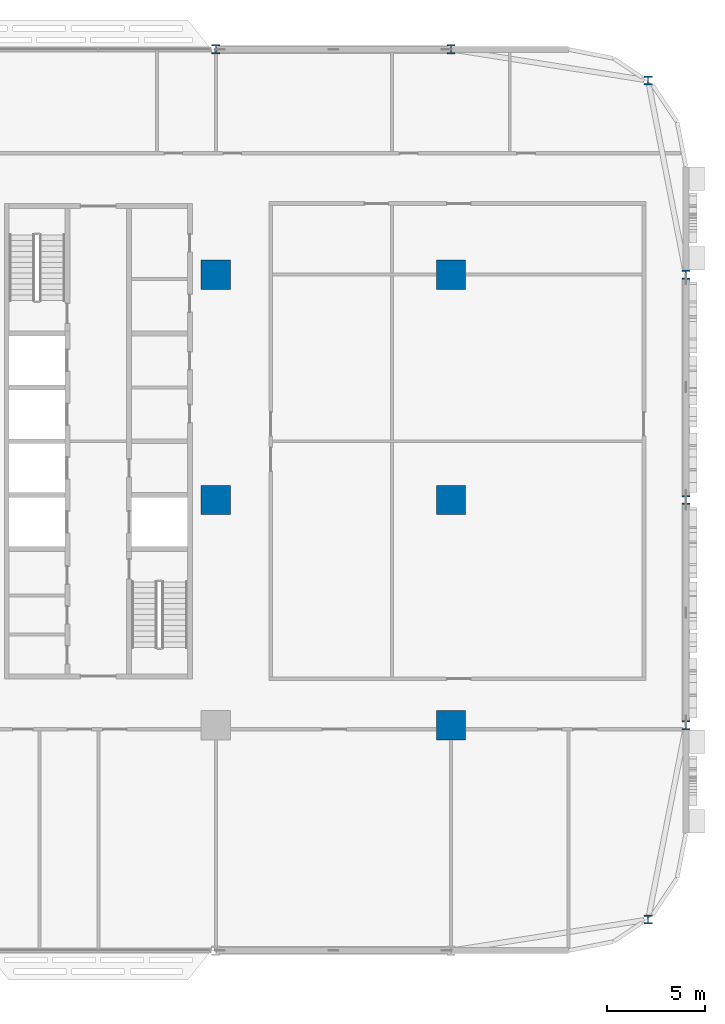
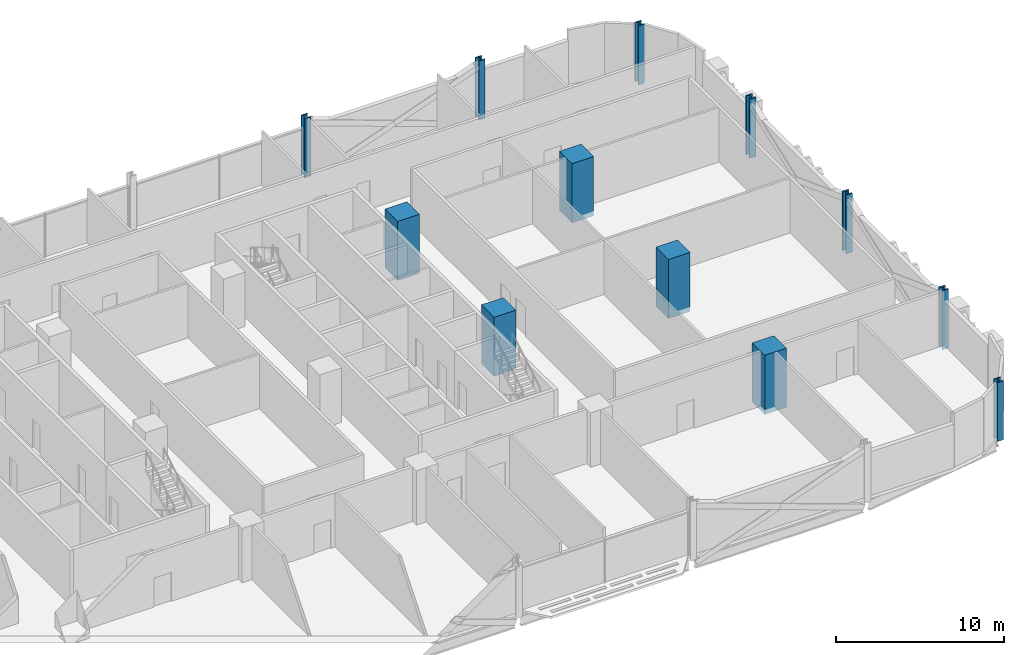
# One storey, part 2 of 29: 12 columns.
"""IFC4 building model written with IfcOpenShell, lengths in metres."""

from ifc_helpers import new_model, si_unit, direction, frame, origin, origin_2d, place, context, subcontext, project, spatial, rectangle, i_section, extrude, material, material_profile, profile_set, type_object, element, save


model = new_model("IFC4")

# Units and contexts
model_context = context("Model", 3, precision=1e-05, world=origin(), true_north=direction((0.0, 1.0)))
body_context = subcontext(model_context, "Body", "Model", "MODEL_VIEW")
ifc_project = project(units=[si_unit("LENGTHUNIT", "METRE"), si_unit("AREAUNIT", "SQUARE_METRE"), si_unit("VOLUMEUNIT", "CUBIC_METRE"), si_unit("PLANEANGLEUNIT", "RADIAN"), si_unit("MASSUNIT", "GRAM", prefix="KILO")], contexts=[model_context])

# Site, building, storey
site_placement = place(None, origin())
site = spatial("IfcSite", under=ifc_project, at=site_placement, CompositionType="ELEMENT")
building_placement = place(site_placement, origin())
building = spatial("IfcBuilding", under=site, at=building_placement, Name="Mahtab Terrace Research Tower", CompositionType="ELEMENT")
storey_placement = place(building_placement, frame((0.0, 0.0, 54.60009765625)))
storey = spatial("IfcBuildingStorey", under=building, at=storey_placement, Name="L12", CompositionType="ELEMENT", Elevation=54.60009765625)

# Columns
ifc_material_1 = material(Name="Concrete C70/85", Category="concrete")
ifc_material_profile_1 = material_profile(ifc_material_1, rectangle(XDim=1.5, YDim=1.5, at=origin_2d()), Name="RC column 1500x1500")
ifc_profile_set_1 = profile_set([ifc_material_profile_1], Name="Concrete C70/85")
column_type_1 = type_object("IfcColumnType", Name="RC column 1500x1500", PredefinedType="COLUMN", material=ifc_profile_set_1)
for number, where, z_axis, x_axis, name in (
    (1, (30.0, 0.0, -0.340087890625), (0.0, 0.0, 1.0), (1.0, 0.0, 0.0), "Column RC-7B L12"),
    (2, (30.0, 11.5, -0.340087890625), (0.0, 0.0, 1.0), (1.0, 0.0, 0.0), "Column RC-7C L12"),
    (3, (42.0, -11.5, -0.340087890625), (0.0, 0.0, 1.0), (1.0, 0.0, 0.0), "Column RC-8A L12"),
    (4, (42.0, 0.0, -0.340087890625), (0.0, 0.0, 1.0), (1.0, 0.0, 0.0), "Column RC-8B L12"),
    (5, (42.0, 11.5, -0.340087890625), (0.0, 0.0, 1.0), (1.0, 0.0, 0.0), "Column RC-8C L12"),
):
    element("IfcColumn", number, at=place(storey_placement, frame(where, z_axis=z_axis, x_axis=x_axis)), inside=storey, type_object=column_type_1, Name=name, PredefinedType="COLUMN", context=body_context, shape_type="SweptSolid", body=[
        extrude(rectangle(XDim=1.5, YDim=1.5, at=origin_2d()), origin(), (0.0, 0.0, 1.0), 4.300048828125),
    ])
ifc_material_2 = material(Name="Steel ASTM A992 Gr 50", Category="steel")
ifc_material_profile_2 = material_profile(ifc_material_2, i_section(OverallWidth=0.42431640625, OverallDepth=0.47509765625, WebThickness=0.0478515625, FlangeThickness=0.0771484375, at=origin_2d()), Name="W14X426")
ifc_profile_set_2 = profile_set([ifc_material_profile_2], Name="Steel ASTM A992 Gr 50")
column_type_2 = type_object("IfcColumnType", Name="W14x426 column CS14426", PredefinedType="COLUMN", material=ifc_profile_set_2)
for number, where, z_axis, x_axis, name in (
    (6, (52.06201171875, 21.416015625, -0.340087890625), (0.0, 0.0, 1.0), (1.0, 0.0, 0.0), "Column SC-023 L12"),
    (7, (42.0, 23.0, -0.340087890625), (0.0, 0.0, 1.0), (1.0, 0.0, 0.0), "Column SC-001 L12"),
    (8, (30.0, 23.0, -0.340087890625), (0.0, 0.0, 1.0), (1.0, 0.0, 0.0), "Column SC-002 L12"),
    (9, (52.06201171875, -21.416015625, -0.340087890625), (0.0, 0.0, 1.0), (1.0, 0.0, 0.0), "Column SC-026 L12"),
    (10, (54.0, -11.5, -0.340087890625), (0.0, 0.0, 1.0), (1.0, 0.0, 0.0), "Column SC-027 L12"),
    (11, (54.0, 0.0, -0.340087890625), (0.0, 0.0, 1.0), (1.0, 0.0, 0.0), "Column SC-028 L12"),
    (12, (54.0, 11.5, -0.340087890625), (0.0, 0.0, 1.0), (1.0, 0.0, 0.0), "Column SC-029 L12"),
):
    element("IfcColumn", number, at=place(storey_placement, frame(where, z_axis=z_axis, x_axis=x_axis)), inside=storey, type_object=column_type_2, Name=name, PredefinedType="COLUMN", context=body_context, shape_type="SweptSolid", body=[
        extrude(i_section(OverallWidth=0.42431640625, OverallDepth=0.47509765625, WebThickness=0.0478515625, FlangeThickness=0.0771484375, at=origin_2d()), origin(), (0.0, 0.0, 1.0), 4.300048828125),
    ])

save(model, "model.ifc")
